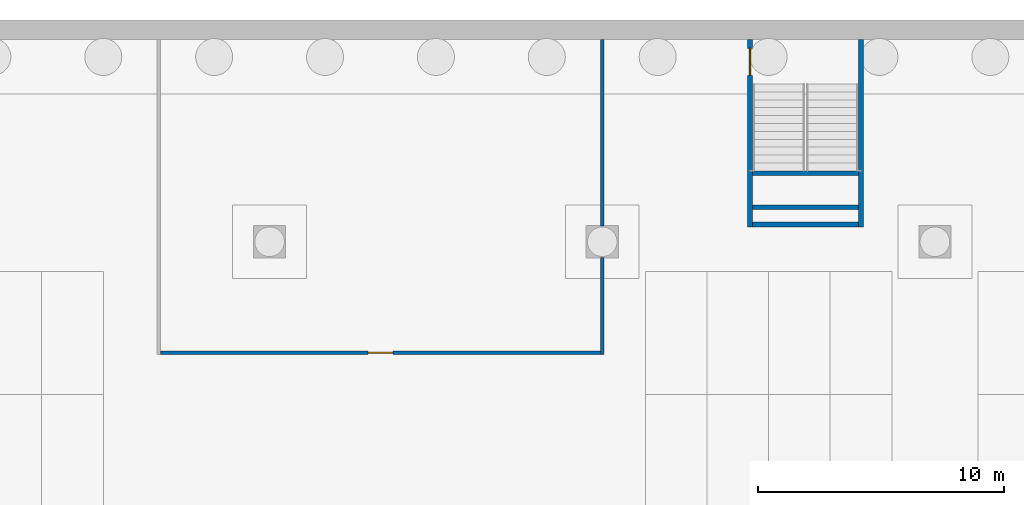
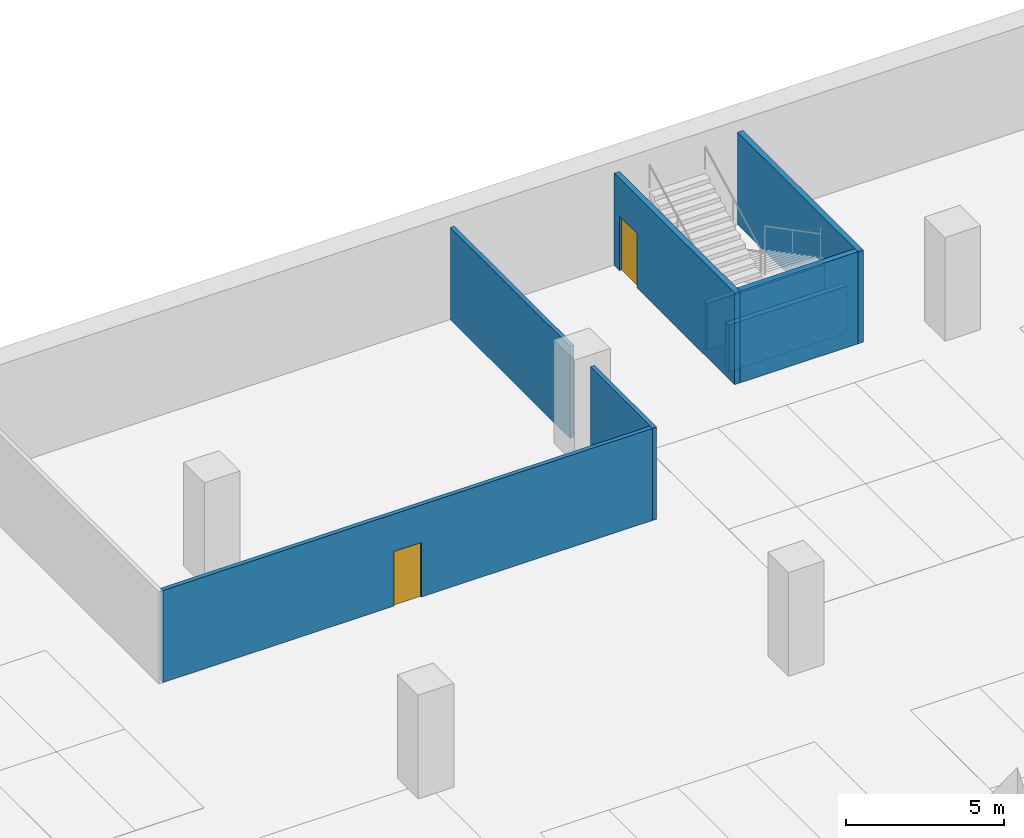
# One storey, part 12 of 40: 8 walls, 2 doors, 2 openings.
"""IFC4 building model written with IfcOpenShell, lengths in metres."""

from ifc_helpers import new_model, si_unit, direction, frame, frame_2d, origin, place, context, subcontext, project, spatial, rectangle, extrude, material, layer, layer_set, type_object, element, fill, save


model = new_model("IFC4")

# Units and contexts
model_context = context("Model", 3, precision=1e-05, world=origin(), true_north=direction((0.0, 1.0)))
body_context = subcontext(model_context, "Body", "Model", "MODEL_VIEW")
ifc_project = project(units=[si_unit("LENGTHUNIT", "METRE"), si_unit("AREAUNIT", "SQUARE_METRE"), si_unit("VOLUMEUNIT", "CUBIC_METRE"), si_unit("PLANEANGLEUNIT", "RADIAN"), si_unit("MASSUNIT", "GRAM", prefix="KILO")], contexts=[model_context])

# Site, building, storey
site_placement = place(None, origin())
site = spatial("IfcSite", under=ifc_project, at=site_placement, CompositionType="ELEMENT")
building_placement = place(site_placement, origin())
building = spatial("IfcBuilding", under=site, at=building_placement, Name="Altepetl Exchange Towers", CompositionType="ELEMENT")
storey_placement = place(building_placement, frame((0.0, 0.0, -8.0)))
storey = spatial("IfcBuildingStorey", under=building, at=storey_placement, Name="B2 Basement parking", CompositionType="ELEMENT", Elevation=-8.0)

# Walls
ifc_material_1 = material(Name="Reinforced concrete C35/45", Category="concrete")
ifc_layer_1 = layer(ifc_material_1, 0.199951171875)
ifc_layer_set_1 = layer_set([ifc_layer_1], Name="Reinforced concrete C35/45")
wall_type_1 = type_object("IfcWallType", Name="Landing support wall 200", PredefinedType="SOLIDWALL", material=ifc_layer_set_1)
for number, where, z_axis, x_axis, name in (
    (1, (100.39990234375, 92.780029296875, 0.0), (0.0, 0.0, 1.0), (-1.0, 0.0, 0.0), "wall:P:B2:ES6sup0"),
    (2, (100.39990234375, 91.39990234375, 0.0), (0.0, 0.0, 1.0), (-1.0, 0.0, 0.0), "wall:P:B2:ES6sup1"),
):
    element("IfcWall", number, at=place(storey_placement, frame(where, z_axis=z_axis, x_axis=x_axis)), inside=storey, type_object=wall_type_1, Name=name, PredefinedType="SOLIDWALL", context=body_context, shape_type="SweptSolid", body=[
        extrude(rectangle(XDim=4.2998046875, YDim=0.199951171875, at=frame_2d((2.14990234375, 0.0))), origin(), (0.0, 0.0, 1.0), 1.800048828125),
    ])
ifc_material_2 = material(Name="Gypsum board on steel studs", Category="steel")
ifc_layer_2 = layer(ifc_material_2, 0.14990234375)
ifc_layer_set_2 = layer_set([ifc_layer_2], Name="Gypsum board on steel studs")
wall_type_2 = type_object("IfcWallType", Name="Podium partition 150", PredefinedType="PARTITIONING", material=ifc_layer_set_2)
wall_1_placement = place(storey_placement, frame((90.0, 85.425048828125, 0.0), z_axis=(0.0, 0.0, 1.0), x_axis=(0.0, 1.0, 0.0)))
element("IfcWall", 3, at=wall_1_placement, inside=storey, type_object=wall_type_2, Name="wall:P:B2:P016", PredefinedType="PARTITIONING", context=body_context, shape_type="SweptSolid", body=[
    extrude(rectangle(XDim=3.929931640625, YDim=0.14990234375, at=frame_2d((1.96484375, 0.0))), origin(), (0.0, 0.0, 1.0), 3.550048828125),
])
wall_2_placement = place(storey_placement, frame((90.0, 90.64501953125, 0.0), z_axis=(0.0, 0.0, 1.0), x_axis=(0.0, 1.0, 0.0)))
element("IfcWall", 4, at=wall_2_placement, inside=storey, type_object=wall_type_2, Name="wall:P:B2:P017", PredefinedType="PARTITIONING", context=body_context, shape_type="SweptSolid", body=[
    extrude(rectangle(XDim=7.554931640625, YDim=0.14990234375, at=frame_2d((3.77734375, 0.0))), origin(), (0.0, 0.0, 1.0), 3.550048828125),
])

# Wall, opening, door
wall_3_placement = place(storey_placement, frame((72.074951171875, 85.5, 0.0)))
wall_3 = element("IfcWall", 5, at=wall_3_placement, inside=storey, type_object=wall_type_2, Name="wall:P:B2:P018", PredefinedType="PARTITIONING", context=body_context, shape_type="SweptSolid", body=[
    extrude(rectangle(XDim=17.85009765625, YDim=0.14990234375, at=frame_2d((8.925048828125, 0.0))), origin(), (0.0, 0.0, 1.0), 3.550048828125),
])
opening_1_placement = place(wall_3_placement, frame((8.425048828125, 0.0, 0.0)))
opening_1 = element("IfcOpeningElement", 6, at=opening_1_placement, cuts=wall_3, Name="Opening B2.P006", PredefinedType="OPENING", context=body_context, shape_type="SweptSolid", body=[
    extrude(rectangle(XDim=1.0, YDim=2.10009765625, at=frame_2d((0.5, 1.050048828125))), frame((0.0, 0.0849609375, 0.0), z_axis=(0.0, -1.0, 0.0), x_axis=(1.0, 0.0, 0.0)), (0.0, 0.0, 1.0), 0.169921875),
])
ifc_material_3 = material(Name="Steel and timber fire door", Category="steel")
door_type_1 = type_object("IfcDoorType", Name="Podium fire door 1000 x 2100 single leaf", OperationType="SINGLE_SWING_LEFT", PredefinedType="DOOR", material=ifc_material_3)
door_1_placement = place(opening_1_placement, origin())
door_1 = element("IfcDoor", 7, at=door_1_placement, inside=storey, type_object=door_type_1, Name="door:P:B2:006", OperationType="SINGLE_SWING_RIGHT", OverallHeight=2.10009765625, OverallWidth=1.0, PredefinedType="DOOR", context=body_context, shape_type="SweptSolid", body=[
    extrude(rectangle(XDim=1.0, YDim=2.10009765625, at=frame_2d((0.5, 1.050048828125))), frame((0.0, 0.02490234375, 0.0), z_axis=(0.0, -1.0, 0.0), x_axis=(1.0, 0.0, 0.0)), (0.0, 0.0, 1.0), 0.050048828125),
])
fill(opening_1, door_1)

ifc_layer_3 = layer(ifc_material_1, 0.199951171875)
ifc_layer_set_3 = layer_set([ifc_layer_3], Name="Reinforced concrete C35/45")
wall_type_3 = type_object("IfcWallType", Name="Stair enclosure wall 200", PredefinedType="SOLIDWALL", material=ifc_layer_set_3)
wall_4_placement = place(storey_placement, frame((96.0, 90.60009765625, 0.0), z_axis=(0.0, 0.0, 1.0), x_axis=(0.0, 1.0, 0.0)))
wall_4 = element("IfcWall", 8, at=wall_4_placement, inside=storey, type_object=wall_type_3, Name="wall:P:B2:P071", PredefinedType="SOLIDWALL", context=body_context, shape_type="SweptSolid", body=[
    extrude(rectangle(XDim=7.599853515625, YDim=0.199951171875, at=frame_2d((3.7998046875, 0.0))), origin(), (0.0, 0.0, 1.0), 3.550048828125),
])
opening_2_placement = place(wall_4_placement, frame((6.14990234375, 0.0, 0.0)))
opening_2 = element("IfcOpeningElement", 9, at=opening_2_placement, cuts=wall_4, Name="Opening B2.P017", PredefinedType="OPENING", context=body_context, shape_type="SweptSolid", body=[
    extrude(rectangle(XDim=1.10009765625, YDim=2.10009765625, at=frame_2d((0.550048828125, 1.050048828125))), frame((0.0, 0.10986328125, 0.0), z_axis=(0.0, -1.0, 0.0), x_axis=(1.0, 0.0, 0.0)), (0.0, 0.0, 1.0), 0.219970703125),
])
ifc_material_4 = material(Name="Steel fire door", Category="steel")
door_type_2 = type_object("IfcDoorType", Name="Podium fire door 1100 x 2100 single leaf", OperationType="SINGLE_SWING_LEFT", PredefinedType="DOOR", material=ifc_material_4)
door_2_placement = place(opening_2_placement, frame((1.10009765625, 0.0, 0.0), x_axis=(-1.0, 0.0, 0.0)))
door_2 = element("IfcDoor", 10, at=door_2_placement, inside=storey, type_object=door_type_2, Name="door:P:B2:017", OperationType="SINGLE_SWING_LEFT", OverallHeight=2.10009765625, OverallWidth=1.10009765625, PredefinedType="DOOR", context=body_context, shape_type="SweptSolid", body=[
    extrude(rectangle(XDim=1.10009765625, YDim=2.10009765625, at=frame_2d((0.550048828125, 1.050048828125))), frame((0.0, 0.02490234375, 0.0), z_axis=(0.0, -1.0, 0.0), x_axis=(1.0, 0.0, 0.0)), (0.0, 0.0, 1.0), 0.050048828125),
])
fill(opening_2, door_2)

# Walls
wall_5_placement = place(storey_placement, frame((100.5, 90.60009765625, 0.0), z_axis=(0.0, 0.0, 1.0), x_axis=(0.0, 1.0, 0.0)))
element("IfcWall", 11, at=wall_5_placement, inside=storey, type_object=wall_type_3, Name="wall:P:B2:P072", PredefinedType="SOLIDWALL", context=body_context, shape_type="SweptSolid", body=[
    extrude(rectangle(XDim=7.599853515625, YDim=0.199951171875, at=frame_2d((3.7998046875, 0.0))), origin(), (0.0, 0.0, 1.0), 3.550048828125),
])
wall_6_placement = place(storey_placement, frame((96.10009765625, 90.699951171875, 0.0)))
element("IfcWall", 12, at=wall_6_placement, inside=storey, type_object=wall_type_3, Name="wall:P:B2:P073", PredefinedType="SOLIDWALL", context=body_context, shape_type="SweptSolid", body=[
    extrude(rectangle(XDim=4.2998046875, YDim=0.199951171875, at=frame_2d((2.14990234375, 0.0))), origin(), (0.0, 0.0, 1.0), 3.550048828125),
])

save(model, "model.ifc")
